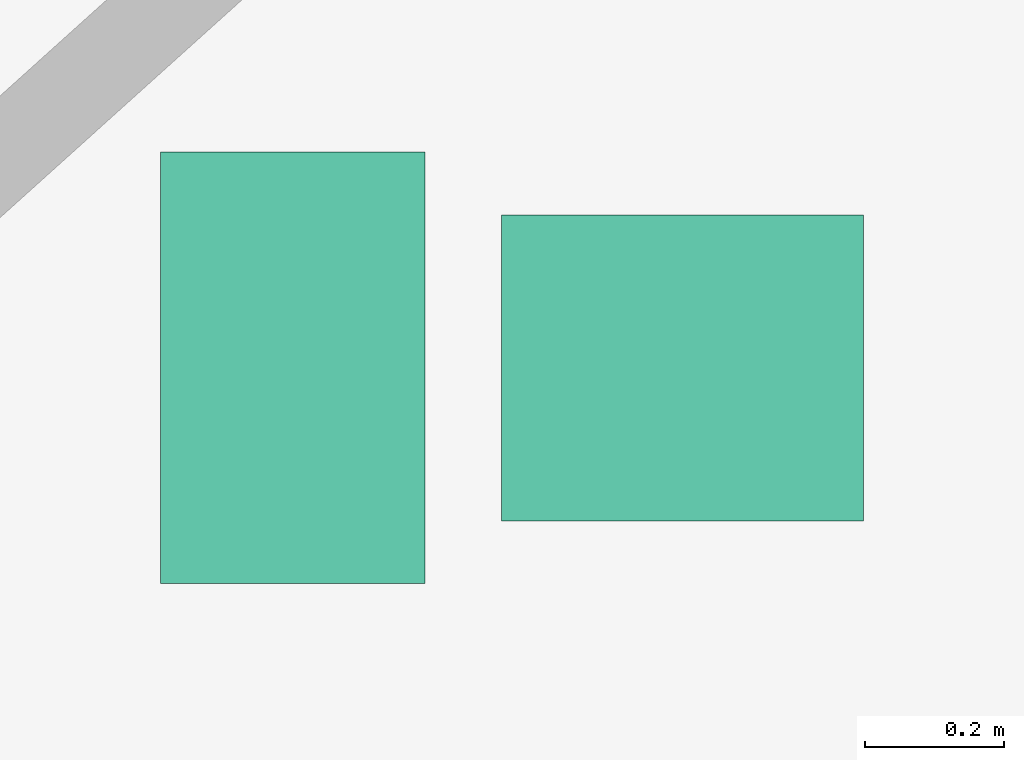
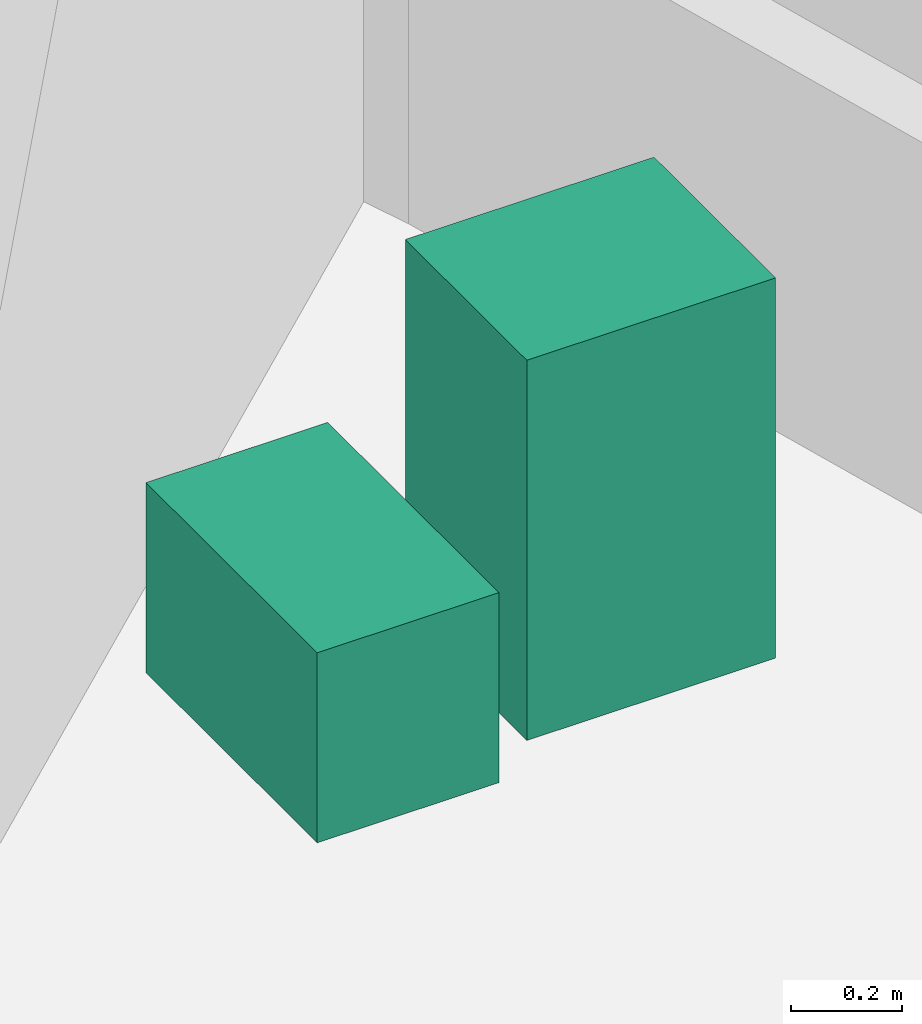
# One storey, part 12 of 12: 2 sanitary terminals.
"""IFC4 building model written with IfcOpenShell, lengths in metres."""

from ifc_helpers import new_model, si_unit, direction, frame, origin, origin_2d, place, context, subcontext, project, spatial, rectangle, extrude, source, transform, mapped, material, type_object, element, save


model = new_model("IFC4")

# Units and contexts
model_context = context("Model", 3, precision=1e-05, world=origin(), true_north=direction((0.0, 1.0)))
body_context = subcontext(model_context, "Body", "Model", "MODEL_VIEW")
ifc_project = project(units=[si_unit("LENGTHUNIT", "METRE"), si_unit("AREAUNIT", "SQUARE_METRE"), si_unit("VOLUMEUNIT", "CUBIC_METRE"), si_unit("PLANEANGLEUNIT", "RADIAN"), si_unit("MASSUNIT", "GRAM", prefix="KILO")], contexts=[model_context])

# Site, building, storey
site_placement = place(None, origin())
site = spatial("IfcSite", under=ifc_project, at=site_placement, CompositionType="ELEMENT")
building_placement = place(site_placement, origin())
building = spatial("IfcBuilding", under=site, at=building_placement, Name="Qafzar Sky-Pleat Residences", CompositionType="ELEMENT")
storey_placement = place(building_placement, frame((0.0, 0.0, 177.800048828125)))
storey = spatial("IfcBuildingStorey", under=building, at=storey_placement, Name="L53", CompositionType="ELEMENT", Elevation=177.800048828125)

# Sanitary terminals
ifc_material = material(Name="Vitreous china sanitaryware")
sanitary_terminal_type_1 = type_object("IfcSanitaryTerminalType", Name="SAN-WC-PAN", PredefinedType="TOILETPAN", material=ifc_material)
shared_shape_1 = source(origin(), body_context, "Body", "SweptSolid", [
    extrude(rectangle(XDim=0.3798828125, YDim=0.6201171875, at=origin_2d()), origin(), (0.0, 0.0, 1.0), 0.419921875),
])
sanitary_terminal_1_placement = place(storey_placement, frame((40.941650390625, 34.855224609375, 0.0), z_axis=(0.0, 0.0, 1.0), x_axis=(1.0, 0.0, 0.0)))
element("IfcSanitaryTerminal", 1, at=sanitary_terminal_1_placement, inside=storey, type_object=sanitary_terminal_type_1, Name="L53 Accessible Shared Washroom WC Pan", PredefinedType="TOILETPAN", context=body_context, shape_type="MappedRepresentation", body=[
    mapped(shared_shape_1, transform((0.0, 0.0, 0.0), x_axis=(1.0, 0.0, 0.0), y_axis=(0.0, 1.0, 0.0), z_axis=(0.0, 0.0, 1.0), scale=1.0)),
])
sanitary_terminal_type_2 = type_object("IfcSanitaryTerminalType", Name="SAN-BASIN", PredefinedType="WASHHANDBASIN", material=ifc_material)
shared_shape_2 = source(origin(), body_context, "Body", "SweptSolid", [
    extrude(rectangle(XDim=0.52001953125, YDim=0.43994140625, at=origin_2d()), origin(), (0.0, 0.0, 1.0), 0.840087890625),
])
sanitary_terminal_2_placement = place(storey_placement, frame((41.501708984375, 34.855224609375, 0.0), z_axis=(0.0, 0.0, 1.0), x_axis=(1.0, 0.0, 0.0)))
element("IfcSanitaryTerminal", 2, at=sanitary_terminal_2_placement, inside=storey, type_object=sanitary_terminal_type_2, Name="L53 Accessible Shared Washroom Pedestal Washbasin", PredefinedType="WASHHANDBASIN", context=body_context, shape_type="MappedRepresentation", body=[
    mapped(shared_shape_2, transform((0.0, 0.0, 0.0), x_axis=(1.0, 0.0, 0.0), y_axis=(0.0, 1.0, 0.0), z_axis=(0.0, 0.0, 1.0), scale=1.0)),
])

save(model, "model.ifc")
